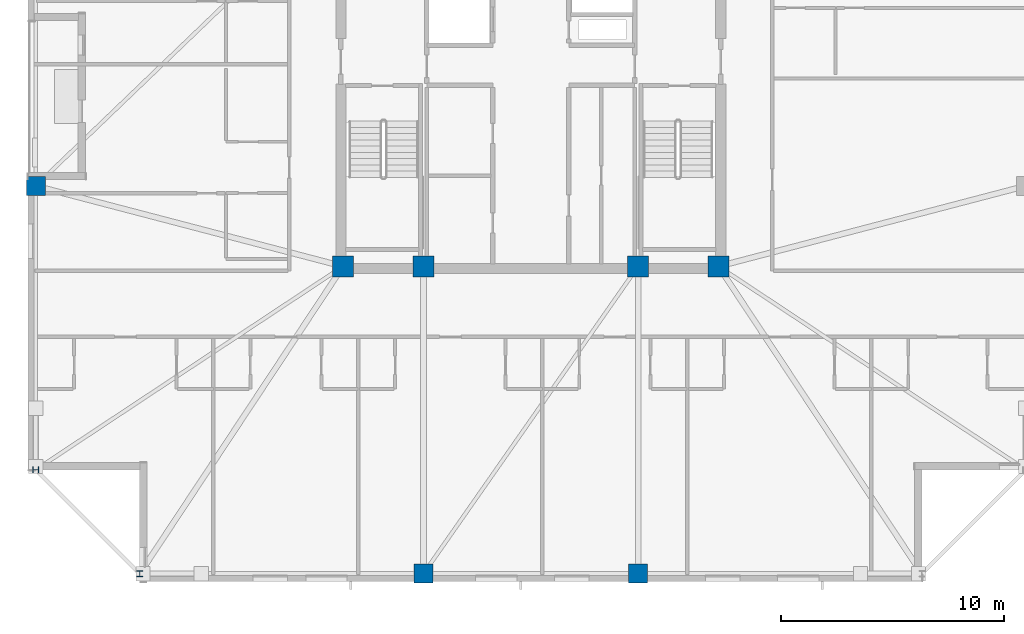
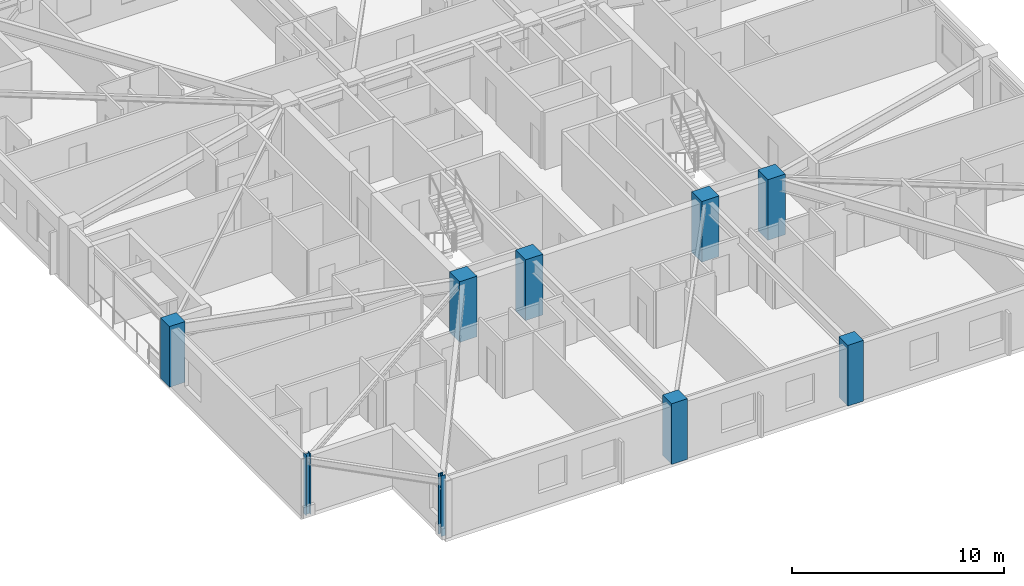
# One storey, part 1 of 17: 9 columns.
"""IFC4 building model written with IfcOpenShell, lengths in metres."""

from ifc_helpers import new_model, si_unit, direction, frame, origin, origin_2d, place, context, subcontext, project, spatial, rectangle, i_section, extrude, material, material_profile, profile_set, type_object, element, save


model = new_model("IFC4")

# Units and contexts
model_context = context("Model", 3, precision=1e-05, world=origin(), true_north=direction((0.0, 1.0)))
body_context = subcontext(model_context, "Body", "Model", "MODEL_VIEW")
ifc_project = project(units=[si_unit("LENGTHUNIT", "METRE"), si_unit("AREAUNIT", "SQUARE_METRE"), si_unit("VOLUMEUNIT", "CUBIC_METRE"), si_unit("PLANEANGLEUNIT", "RADIAN"), si_unit("MASSUNIT", "GRAM", prefix="KILO")], contexts=[model_context])

# Site, building, storey
site_placement = place(None, origin())
site = spatial("IfcSite", under=ifc_project, at=site_placement, CompositionType="ELEMENT")
building_placement = place(site_placement, origin())
building = spatial("IfcBuilding", under=site, at=building_placement, Name="Cairnveth Concourse Tower", CompositionType="ELEMENT")
storey_placement = place(building_placement, frame((0.0, 0.0, 237.5)))
storey = spatial("IfcBuildingStorey", under=building, at=storey_placement, Name="L65", CompositionType="ELEMENT", Elevation=237.5)

# Columns
ifc_material_1 = material(Name="Concrete N65 (65 MPa)", Category="concrete")
ifc_material_profile_1 = material_profile(ifc_material_1, rectangle(XDim=0.949951171875, YDim=0.949951171875, at=origin_2d()), Name="RC-COL-950x950")
ifc_profile_set_1 = profile_set([ifc_material_profile_1], Name="Concrete N65 (65 MPa)")
column_type_1 = type_object("IfcColumnType", Name="CORE COLUMN 950X950", PredefinedType="COLUMN", material=ifc_profile_set_1)
for number, where, z_axis, x_axis, name in (
    (1, (43.60009765625, 30.60009765625, 0.0), (0.0, 0.0, 1.0), (1.0, 0.0, 0.0), "Column CC1 L65"),
    (2, (47.199951171875, 30.60009765625, 0.0), (0.0, 0.0, 1.0), (1.0, 0.0, 0.0), "Column CC2 L65"),
    (3, (56.800048828125, 30.60009765625, 0.0), (0.0, 0.0, 1.0), (1.0, 0.0, 0.0), "Column CC3 L65"),
    (4, (60.39990234375, 30.60009765625, 0.0), (0.0, 0.0, 1.0), (1.0, 0.0, 0.0), "Column CC4 L65"),
):
    element("IfcColumn", number, at=place(storey_placement, frame(where, z_axis=z_axis, x_axis=x_axis)), inside=storey, type_object=column_type_1, Name=name, PredefinedType="COLUMN", context=body_context, shape_type="SweptSolid", body=[
        extrude(rectangle(XDim=0.949951171875, YDim=0.949951171875, at=origin_2d()), origin(), (0.0, 0.0, 1.0), 3.5),
    ])
ifc_material_profile_2 = material_profile(ifc_material_1, rectangle(XDim=0.85009765625, YDim=0.85009765625, at=origin_2d()), Name="RC-COL-850x850")
ifc_profile_set_2 = profile_set([ifc_material_profile_2], Name="Concrete N65 (65 MPa)")
column_type_2 = type_object("IfcColumnType", Name="PERIMETER PIER COLUMN 850X850", PredefinedType="COLUMN", material=ifc_profile_set_2)
for number, where, z_axis, x_axis, name in (
    (5, (47.199951171875, 16.85009765625, 0.0), (0.0, 0.0, 1.0), (1.0, 0.0, 0.0), "Column P-S2 L65"),
    (6, (56.800048828125, 16.85009765625, 0.0), (0.0, 0.0, 1.0), (1.0, 0.0, 0.0), "Column P-S3 L65"),
    (7, (29.85009765625, 34.199951171875, 0.0), (0.0, 0.0, 1.0), (0.0, 1.0, 0.0), "Column P-W3 L65"),
):
    element("IfcColumn", number, at=place(storey_placement, frame(where, z_axis=z_axis, x_axis=x_axis)), inside=storey, type_object=column_type_2, Name=name, PredefinedType="COLUMN", context=body_context, shape_type="SweptSolid", body=[
        extrude(rectangle(XDim=0.85009765625, YDim=0.85009765625, at=origin_2d()), origin(), (0.0, 0.0, 1.0), 3.5),
    ])
ifc_material_2 = material(Name="Steel Grade 350", Category="steel")
ifc_material_profile_3 = material_profile(ifc_material_2, i_section(OverallWidth=0.256103515625, OverallDepth=0.260009765625, WebThickness=0.010498046875, FlangeThickness=0.017333984375, FilletRadius=0.012939453125, at=origin_2d()), Name="250UC89.5")
ifc_profile_set_3 = profile_set([ifc_material_profile_3], Name="Steel Grade 350")
column_type_3 = type_object("IfcColumnType", Name="UNIVERSAL STEEL COLUMN 250UC89.5", PredefinedType="COLUMN", material=ifc_profile_set_3)
for number, where, z_axis, x_axis, name in (
    (8, (34.5, 16.85009765625, 0.0), (0.0, 0.0, 1.0), (1.0, 0.0, 0.0), "Column P-S1 L65"),
    (9, (29.85009765625, 21.5, 0.0), (0.0, 0.0, 1.0), (0.0, 1.0, 0.0), "Column P-W4 L65"),
):
    element("IfcColumn", number, at=place(storey_placement, frame(where, z_axis=z_axis, x_axis=x_axis)), inside=storey, type_object=column_type_3, Name=name, PredefinedType="COLUMN", context=body_context, shape_type="SweptSolid", body=[
        extrude(i_section(OverallWidth=0.256103515625, OverallDepth=0.260009765625, WebThickness=0.010498046875, FlangeThickness=0.017333984375, FilletRadius=0.012939453125, at=origin_2d()), origin(), (0.0, 0.0, 1.0), 3.5),
    ])

save(model, "model.ifc")
